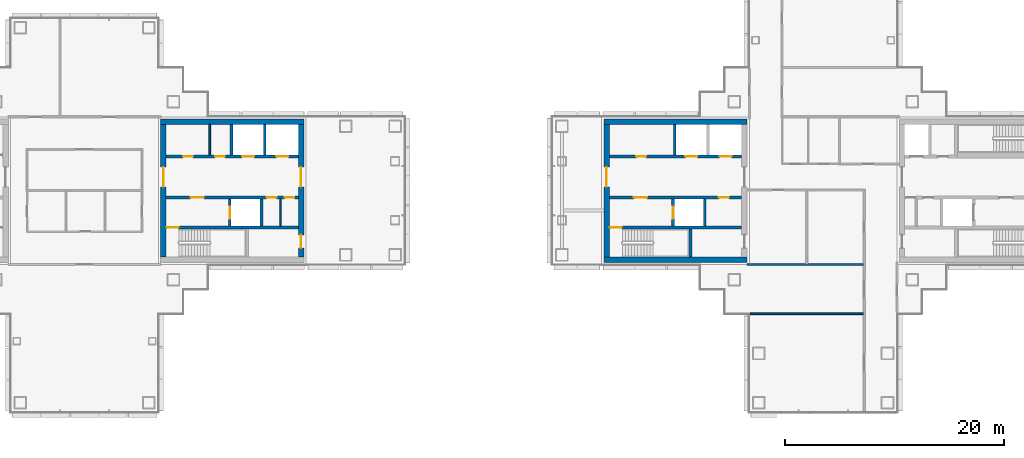
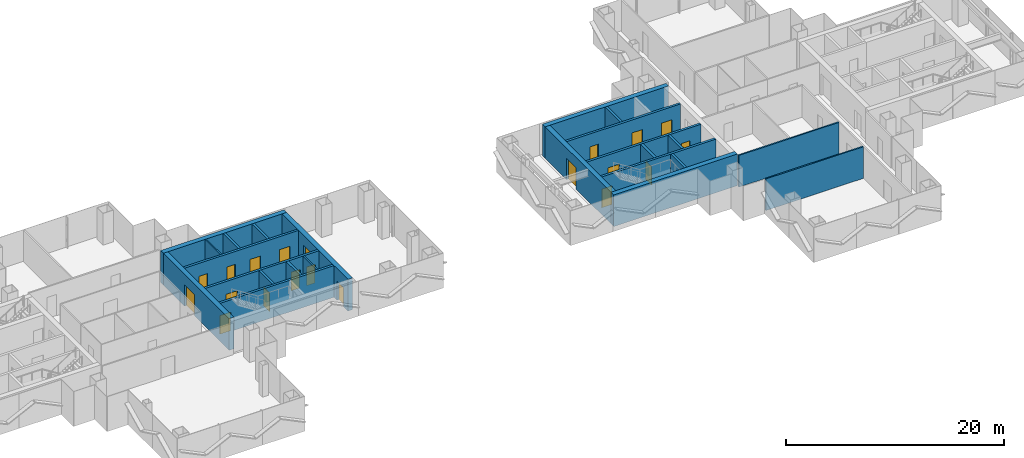
# One storey, part 10 of 16: 24 walls, 20 doors, 20 openings.
"""IFC4 building model written with IfcOpenShell, lengths in metres."""

from ifc_helpers import new_model, si_unit, direction, frame, frame_2d, origin, place, context, subcontext, project, spatial, rectangle, extrude, material, layer, layer_set, type_object, element, fill, save


model = new_model("IFC4")

# Units and contexts
model_context = context("Model", 3, precision=1e-05, world=origin(), true_north=direction((0.0, 1.0)))
body_context = subcontext(model_context, "Body", "Model", "MODEL_VIEW")
ifc_project = project(units=[si_unit("LENGTHUNIT", "METRE"), si_unit("AREAUNIT", "SQUARE_METRE"), si_unit("VOLUMEUNIT", "CUBIC_METRE"), si_unit("PLANEANGLEUNIT", "RADIAN"), si_unit("MASSUNIT", "GRAM", prefix="KILO")], contexts=[model_context])

# Site, building, storey
site_placement = place(None, origin())
site = spatial("IfcSite", under=ifc_project, at=site_placement, CompositionType="ELEMENT")
building_placement = place(site_placement, origin())
building = spatial("IfcBuilding", under=site, at=building_placement, Name="Shamsa Quay Exchange Towers", CompositionType="ELEMENT")
storey_placement = place(building_placement, frame((0.0, 0.0, 162.300048828125)))
storey = spatial("IfcBuildingStorey", under=building, at=storey_placement, Name="L38", CompositionType="ELEMENT", Elevation=162.300048828125)

# Wall
ifc_material_1 = material(Name="Concrete C60/75", Category="concrete")
ifc_layer_1 = layer(ifc_material_1, 0.5)
ifc_layer_set_1 = layer_set([ifc_layer_1], Name="CORE WALL 500 C60/75")
wall_type_1 = type_object("IfcWallType", Name="CORE WALL 500 C60/75", PredefinedType="SHEAR", material=ifc_layer_set_1)
wall_1_placement = place(storey_placement, frame((-26.800048828125, 6.300048828125, 0.0)))
element("IfcWall", 1, at=wall_1_placement, inside=storey, type_object=wall_type_1, Name="Core wall T1A-R18-PN", PredefinedType="SHEAR", context=body_context, shape_type="SweptSolid", body=[
    extrude(rectangle(XDim=13.10009765625, YDim=0.5, at=frame_2d((6.550048828125, 0.0))), origin(), (0.0, 0.0, 1.0), 3.550048828125),
])

# Wall, opening, door
wall_2_placement = place(storey_placement, frame((-26.550048828125, 6.050048828125, 0.0), z_axis=(0.0, 0.0, 1.0), x_axis=(0.0, -1.0, 0.0)))
wall_2 = element("IfcWall", 2, at=wall_2_placement, inside=storey, type_object=wall_type_1, Name="Core wall T1A-R18-PF", PredefinedType="SHEAR", context=body_context, shape_type="SweptSolid", body=[
    extrude(rectangle(XDim=12.10009765625, YDim=0.5, at=frame_2d((6.050048828125, 0.0))), origin(), (0.0, 0.0, 1.0), 3.550048828125),
])
opening_1_placement = place(wall_2_placement, frame((3.89990234375, 0.0, 0.0)))
opening_1 = element("IfcOpeningElement", 3, at=opening_1_placement, cuts=wall_2, Name="Opening T1A-R18-LBD01", PredefinedType="OPENING", context=body_context, shape_type="SweptSolid", body=[
    extrude(rectangle(XDim=1.800048828125, YDim=2.39990234375, at=frame_2d((0.89990234375, 1.199951171875))), frame((0.0, 0.260009765625, 0.0), z_axis=(0.0, -1.0, 0.0), x_axis=(1.0, 0.0, 0.0)), (0.0, 0.0, 1.0), 0.52001953125),
])
ifc_material_2 = material(Name="Steel, fire rated", Category="steel")
door_type_1 = type_object("IfcDoorType", Name="LIFT LOBBY DOOR PAIR 1800", OperationType="DOUBLE_DOOR_SINGLE_SWING", PredefinedType="DOOR", material=ifc_material_2)
door_1_placement = place(opening_1_placement, origin())
door_1 = element("IfcDoor", 4, at=door_1_placement, inside=storey, type_object=door_type_1, Name="T1A-R18-LBD01", OperationType="DOUBLE_DOOR_SINGLE_SWING", OverallHeight=2.39990234375, OverallWidth=1.800048828125, PredefinedType="DOOR", context=body_context, shape_type="SweptSolid", body=[
    extrude(rectangle(XDim=1.800048828125, YDim=2.39990234375, at=frame_2d((0.89990234375, 1.199951171875))), frame((0.0, 0.02490234375, 0.0), z_axis=(0.0, -1.0, 0.0), x_axis=(1.0, 0.0, 0.0)), (0.0, 0.0, 1.0), 0.050048828125),
])
fill(opening_1, door_1)

# Wall, openings, doors
wall_3_placement = place(storey_placement, frame((-13.949951171875, 6.050048828125, 0.0), z_axis=(0.0, 0.0, 1.0), x_axis=(0.0, -1.0, 0.0)))
wall_3 = element("IfcWall", 5, at=wall_3_placement, inside=storey, type_object=wall_type_1, Name="Core wall T1A-R18-PB", PredefinedType="SHEAR", context=body_context, shape_type="SweptSolid", body=[
    extrude(rectangle(XDim=12.10009765625, YDim=0.5, at=frame_2d((6.050048828125, 0.0))), origin(), (0.0, 0.0, 1.0), 3.550048828125),
])
opening_2_placement = place(wall_3_placement, frame((10.10009765625, 0.0, 0.0)))
opening_2 = element("IfcOpeningElement", 6, at=opening_2_placement, cuts=wall_3, Name="Opening T1A-R18-RD02", PredefinedType="OPENING", context=body_context, shape_type="SweptSolid", body=[
    extrude(rectangle(XDim=1.199951171875, YDim=2.10009765625, at=frame_2d((0.60009765625, 1.050048828125))), frame((0.0, 0.260009765625, 0.0), z_axis=(0.0, -1.0, 0.0), x_axis=(1.0, 0.0, 0.0)), (0.0, 0.0, 1.0), 0.52001953125),
])
opening_3_placement = place(wall_3_placement, frame((3.89990234375, 0.0, 0.0)))
opening_3 = element("IfcOpeningElement", 7, at=opening_3_placement, cuts=wall_3, Name="Opening T1A-R18-LBD03", PredefinedType="OPENING", context=body_context, shape_type="SweptSolid", body=[
    extrude(rectangle(XDim=1.800048828125, YDim=2.39990234375, at=frame_2d((0.89990234375, 1.199951171875))), frame((0.0, 0.260009765625, 0.0), z_axis=(0.0, -1.0, 0.0), x_axis=(1.0, 0.0, 0.0)), (0.0, 0.0, 1.0), 0.52001953125),
])
door_2_placement = place(opening_3_placement, origin())
door_2 = element("IfcDoor", 8, at=door_2_placement, inside=storey, type_object=door_type_1, Name="T1A-R18-LBD03", OperationType="DOUBLE_DOOR_SINGLE_SWING", OverallHeight=2.39990234375, OverallWidth=1.800048828125, PredefinedType="DOOR", context=body_context, shape_type="SweptSolid", body=[
    extrude(rectangle(XDim=1.800048828125, YDim=2.39990234375, at=frame_2d((0.89990234375, 1.199951171875))), frame((0.0, 0.02490234375, 0.0), z_axis=(0.0, -1.0, 0.0), x_axis=(1.0, 0.0, 0.0)), (0.0, 0.0, 1.0), 0.050048828125),
])
fill(opening_3, door_2)
door_type_2 = type_object("IfcDoorType", Name="RISER ACCESS DOOR 1200", OperationType="SINGLE_SWING_LEFT", PredefinedType="DOOR", material=ifc_material_2)
door_3_placement = place(opening_2_placement, origin())
door_3 = element("IfcDoor", 9, at=door_3_placement, inside=storey, type_object=door_type_2, Name="T1A-R18-RD02", OperationType="SINGLE_SWING_RIGHT", OverallHeight=2.10009765625, OverallWidth=1.199951171875, PredefinedType="DOOR", context=body_context, shape_type="SweptSolid", body=[
    extrude(rectangle(XDim=1.199951171875, YDim=2.10009765625, at=frame_2d((0.60009765625, 1.050048828125))), frame((0.0, 0.02490234375, 0.0), z_axis=(0.0, -1.0, 0.0), x_axis=(1.0, 0.0, 0.0)), (0.0, 0.0, 1.0), 0.050048828125),
])
fill(opening_2, door_3)

# Walls
for number, where, name in (
    (10, (13.699951171875, -6.300048828125, 0.0), "Core wall T2A-R18-PS"),
    (11, (13.699951171875, 6.300048828125, 0.0), "Core wall T2A-R18-PN"),
):
    element("IfcWall", number, at=place(storey_placement, frame(where)), inside=storey, type_object=wall_type_1, Name=name, PredefinedType="SHEAR", context=body_context, shape_type="SweptSolid", body=[
        extrude(rectangle(XDim=13.10009765625, YDim=0.5, at=frame_2d((6.550048828125, 0.0))), origin(), (0.0, 0.0, 1.0), 3.550048828125),
    ])

# Wall, opening, door
wall_4_placement = place(storey_placement, frame((13.949951171875, 6.050048828125, 0.0), z_axis=(0.0, 0.0, 1.0), x_axis=(0.0, -1.0, 0.0)))
wall_4 = element("IfcWall", 12, at=wall_4_placement, inside=storey, type_object=wall_type_1, Name="Core wall T2A-R18-PF", PredefinedType="SHEAR", context=body_context, shape_type="SweptSolid", body=[
    extrude(rectangle(XDim=12.10009765625, YDim=0.5, at=frame_2d((6.050048828125, 0.0))), origin(), (0.0, 0.0, 1.0), 3.550048828125),
])
opening_4_placement = place(wall_4_placement, frame((3.89990234375, 0.0, 0.0)))
opening_4 = element("IfcOpeningElement", 13, at=opening_4_placement, cuts=wall_4, Name="Opening T2A-R18-LBD01", PredefinedType="OPENING", context=body_context, shape_type="SweptSolid", body=[
    extrude(rectangle(XDim=1.800048828125, YDim=2.39990234375, at=frame_2d((0.89990234375, 1.199951171875))), frame((0.0, 0.260009765625, 0.0), z_axis=(0.0, -1.0, 0.0), x_axis=(1.0, 0.0, 0.0)), (0.0, 0.0, 1.0), 0.52001953125),
])
door_4_placement = place(opening_4_placement, origin())
door_4 = element("IfcDoor", 14, at=door_4_placement, inside=storey, type_object=door_type_1, Name="T2A-R18-LBD01", OperationType="DOUBLE_DOOR_SINGLE_SWING", OverallHeight=2.39990234375, OverallWidth=1.800048828125, PredefinedType="DOOR", context=body_context, shape_type="SweptSolid", body=[
    extrude(rectangle(XDim=1.800048828125, YDim=2.39990234375, at=frame_2d((0.89990234375, 1.199951171875))), frame((0.0, 0.02490234375, 0.0), z_axis=(0.0, -1.0, 0.0), x_axis=(1.0, 0.0, 0.0)), (0.0, 0.0, 1.0), 0.050048828125),
])
fill(opening_4, door_4)

# Walls
ifc_material_3 = material(Name="Gypsum board on steel studs, EI 60", Category="steel")
ifc_layer_2 = layer(ifc_material_3, 0.14990234375)
ifc_layer_set_2 = layer_set([ifc_layer_2], Name="FIRE PARTITION 150")
wall_type_2 = type_object("IfcWallType", Name="FIRE PARTITION 150", PredefinedType="PARTITIONING", material=ifc_layer_set_2)
wall_5_placement = place(storey_placement, frame((-15.85009765625, -3.25, 0.0), z_axis=(0.0, 0.0, 1.0), x_axis=(0.0, 1.0, 0.0)))
element("IfcWall", 15, at=wall_5_placement, inside=storey, type_object=wall_type_2, Name="Partition T1A-R18-EC0", PredefinedType="PARTITIONING", context=body_context, shape_type="SweptSolid", body=[
    extrude(rectangle(XDim=2.5, YDim=0.14990234375, at=frame_2d((1.25, 0.0))), origin(), (0.0, 0.0, 1.0), 3.550048828125),
])
wall_6_placement = place(storey_placement, frame((-22.300048828125, 3.25, 0.0), z_axis=(0.0, 0.0, 1.0), x_axis=(0.0, 1.0, 0.0)))
element("IfcWall", 16, at=wall_6_placement, inside=storey, type_object=wall_type_2, Name="Partition T1A-R18-FC0", PredefinedType="PARTITIONING", context=body_context, shape_type="SweptSolid", body=[
    extrude(rectangle(XDim=2.800048828125, YDim=0.14990234375, at=frame_2d((1.39990234375, 0.0))), origin(), (0.0, 0.0, 1.0), 3.550048828125),
])
ifc_material_4 = material(Name="Gypsum board partition on metal studs")
ifc_layer_3 = layer(ifc_material_4, 0.14990234375)
ifc_layer_set_3 = layer_set([ifc_layer_3], Name="Partition 150 mm EI 60")
wall_type_3 = type_object("IfcWallType", Name="Partition 150 mm EI 60", PredefinedType="PARTITIONING", material=ifc_layer_set_3)
wall_7_placement = place(storey_placement, frame((27.094970703125, -11.25, 0.0)))
element("IfcWall", 17, at=wall_7_placement, inside=storey, type_object=wall_type_3, Name="Partition T2-R18-W13", PredefinedType="PARTITIONING", context=body_context, shape_type="SweptSolid", body=[
    extrude(rectangle(XDim=10.330078125, YDim=0.14990234375, at=frame_2d((5.1650390625, 0.0))), origin(), (0.0, 0.0, 1.0), 3.550048828125),
])
wall_8_placement = place(storey_placement, frame((37.425048828125, -6.75, 0.0), z_axis=(0.0, 0.0, 1.0), x_axis=(-1.0, 0.0, 0.0)))
element("IfcWall", 18, at=wall_8_placement, inside=storey, type_object=wall_type_3, Name="Partition T2-R18-W14", PredefinedType="PARTITIONING", context=body_context, shape_type="SweptSolid", body=[
    extrude(rectangle(XDim=10.625, YDim=0.14990234375, at=frame_2d((5.3125, 0.0))), origin(), (0.0, 0.0, 1.0), 3.550048828125),
])

# Wall, opening, door
ifc_material_5 = material(Name="Concrete C50/60", Category="concrete")
ifc_layer_4 = layer(ifc_material_5, 0.25)
ifc_layer_set_4 = layer_set([ifc_layer_4], Name="SHAFT WALL 250 C50/60")
wall_type_4 = type_object("IfcWallType", Name="SHAFT WALL 250 C50/60", PredefinedType="SHEAR", material=ifc_layer_set_4)
wall_9_placement = place(storey_placement, frame((-14.199951171875, -3.375, 0.0), z_axis=(0.0, 0.0, 1.0), x_axis=(-1.0, 0.0, 0.0)))
wall_9 = element("IfcWall", 19, at=wall_9_placement, inside=storey, type_object=wall_type_4, Name="Shaft wall T1A-R18-STL", PredefinedType="SHEAR", context=body_context, shape_type="SweptSolid", body=[
    extrude(rectangle(XDim=12.10009765625, YDim=0.25, at=frame_2d((6.050048828125, 0.0))), origin(), (0.0, 0.0, 1.0), 3.550048828125),
])
opening_5_placement = place(wall_9_placement, frame((10.949951171875, 0.0, 0.0)))
opening_5 = element("IfcOpeningElement", 20, at=opening_5_placement, cuts=wall_9, Name="Opening T1A-R18-SD04", PredefinedType="OPENING", context=body_context, shape_type="SweptSolid", body=[
    extrude(rectangle(XDim=1.10009765625, YDim=2.10009765625, at=frame_2d((0.550048828125, 1.050048828125))), frame((0.0, 0.135009765625, 0.0), z_axis=(0.0, -1.0, 0.0), x_axis=(1.0, 0.0, 0.0)), (0.0, 0.0, 1.0), 0.27001953125),
])
door_type_3 = type_object("IfcDoorType", Name="STAIR DOOR 1100", OperationType="SINGLE_SWING_LEFT", PredefinedType="DOOR", material=ifc_material_2)
door_5_placement = place(opening_5_placement, origin())
door_5 = element("IfcDoor", 21, at=door_5_placement, inside=storey, type_object=door_type_3, Name="T1A-R18-SD04", OperationType="SINGLE_SWING_RIGHT", OverallHeight=2.10009765625, OverallWidth=1.10009765625, PredefinedType="DOOR", context=body_context, shape_type="SweptSolid", body=[
    extrude(rectangle(XDim=1.10009765625, YDim=2.10009765625, at=frame_2d((0.550048828125, 1.050048828125))), frame((0.0, 0.02490234375, 0.0), z_axis=(0.0, -1.0, 0.0), x_axis=(1.0, 0.0, 0.0)), (0.0, 0.0, 1.0), 0.050048828125),
])
fill(opening_5, door_5)

# Wall, openings, doors
wall_10_placement = place(storey_placement, frame((-14.199951171875, -0.625, 0.0), z_axis=(0.0, 0.0, 1.0), x_axis=(-1.0, 0.0, 0.0)))
wall_10 = element("IfcWall", 22, at=wall_10_placement, inside=storey, type_object=wall_type_4, Name="Shaft wall T1A-R18-B", PredefinedType="SHEAR", context=body_context, shape_type="SweptSolid", body=[
    extrude(rectangle(XDim=12.10009765625, YDim=0.25, at=frame_2d((6.050048828125, 0.0))), origin(), (0.0, 0.0, 1.0), 3.550048828125),
])
opening_6_placement = place(wall_10_placement, frame((8.64990234375, 0.0, 0.0)))
opening_6 = element("IfcOpeningElement", 23, at=opening_6_placement, cuts=wall_10, Name="Opening T1A-R18-FD05", PredefinedType="OPENING", context=body_context, shape_type="SweptSolid", body=[
    extrude(rectangle(XDim=1.199951171875, YDim=2.10009765625, at=frame_2d((0.60009765625, 1.050048828125))), frame((0.0, 0.135009765625, 0.0), z_axis=(0.0, -1.0, 0.0), x_axis=(1.0, 0.0, 0.0)), (0.0, 0.0, 1.0), 0.27001953125),
])
opening_7_placement = place(wall_10_placement, frame((2.0, 0.0, 0.0)))
opening_7 = element("IfcOpeningElement", 24, at=opening_7_placement, cuts=wall_10, Name="Opening T1A-R18-SV06", PredefinedType="OPENING", context=body_context, shape_type="SweptSolid", body=[
    extrude(rectangle(XDim=0.89990234375, YDim=2.10009765625, at=frame_2d((0.449951171875, 1.050048828125))), frame((0.0, 0.135009765625, 0.0), z_axis=(0.0, -1.0, 0.0), x_axis=(1.0, 0.0, 0.0)), (0.0, 0.0, 1.0), 0.27001953125),
])
opening_8_placement = place(wall_10_placement, frame((0.375, 0.0, 0.0)))
opening_8 = element("IfcOpeningElement", 25, at=opening_8_placement, cuts=wall_10, Name="Opening T1A-R18-SV07", PredefinedType="OPENING", context=body_context, shape_type="SweptSolid", body=[
    extrude(rectangle(XDim=0.89990234375, YDim=2.10009765625, at=frame_2d((0.449951171875, 1.050048828125))), frame((0.0, 0.135009765625, 0.0), z_axis=(0.0, -1.0, 0.0), x_axis=(1.0, 0.0, 0.0)), (0.0, 0.0, 1.0), 0.27001953125),
])
door_type_4 = type_object("IfcDoorType", Name="FIRE SERVICE LOBBY DOOR 1200", OperationType="SINGLE_SWING_LEFT", PredefinedType="DOOR", material=ifc_material_2)
door_6_placement = place(opening_6_placement, origin())
door_6 = element("IfcDoor", 26, at=door_6_placement, inside=storey, type_object=door_type_4, Name="T1A-R18-FD05", OperationType="SINGLE_SWING_RIGHT", OverallHeight=2.10009765625, OverallWidth=1.199951171875, PredefinedType="DOOR", context=body_context, shape_type="SweptSolid", body=[
    extrude(rectangle(XDim=1.199951171875, YDim=2.10009765625, at=frame_2d((0.60009765625, 1.050048828125))), frame((0.0, 0.02490234375, 0.0), z_axis=(0.0, -1.0, 0.0), x_axis=(1.0, 0.0, 0.0)), (0.0, 0.0, 1.0), 0.050048828125),
])
fill(opening_6, door_6)
door_type_5 = type_object("IfcDoorType", Name="SERVICE ROOM DOOR 900", OperationType="SINGLE_SWING_LEFT", PredefinedType="DOOR", material=ifc_material_2)
door_7_placement = place(opening_7_placement, origin())
door_7 = element("IfcDoor", 27, at=door_7_placement, inside=storey, type_object=door_type_5, Name="T1A-R18-SV06", OperationType="SINGLE_SWING_LEFT", OverallHeight=2.10009765625, OverallWidth=0.89990234375, PredefinedType="DOOR", context=body_context, shape_type="SweptSolid", body=[
    extrude(rectangle(XDim=0.89990234375, YDim=2.10009765625, at=frame_2d((0.449951171875, 1.050048828125))), frame((0.0, 0.02490234375, 0.0), z_axis=(0.0, -1.0, 0.0), x_axis=(1.0, 0.0, 0.0)), (0.0, 0.0, 1.0), 0.050048828125),
])
fill(opening_7, door_7)
door_8_placement = place(opening_8_placement, origin())
door_8 = element("IfcDoor", 28, at=door_8_placement, inside=storey, type_object=door_type_5, Name="T1A-R18-SV07", OperationType="SINGLE_SWING_LEFT", OverallHeight=2.10009765625, OverallWidth=0.89990234375, PredefinedType="DOOR", context=body_context, shape_type="SweptSolid", body=[
    extrude(rectangle(XDim=0.89990234375, YDim=2.10009765625, at=frame_2d((0.449951171875, 1.050048828125))), frame((0.0, 0.02490234375, 0.0), z_axis=(0.0, -1.0, 0.0), x_axis=(1.0, 0.0, 0.0)), (0.0, 0.0, 1.0), 0.050048828125),
])
fill(opening_8, door_8)

# Wall, opening, door
wall_11_placement = place(storey_placement, frame((-20.47509765625, -3.25, 0.0), z_axis=(0.0, 0.0, 1.0), x_axis=(0.0, 1.0, 0.0)))
wall_11 = element("IfcWall", 29, at=wall_11_placement, inside=storey, type_object=wall_type_4, Name="Shaft wall T1A-R18-FFF", PredefinedType="SHEAR", context=body_context, shape_type="SweptSolid", body=[
    extrude(rectangle(XDim=2.5, YDim=0.25, at=frame_2d((1.25, 0.0))), origin(), (0.0, 0.0, 1.0), 3.550048828125),
])
opening_9_placement = place(wall_11_placement, frame((0.699951171875, 0.0, 0.0)))
opening_9 = element("IfcOpeningElement", 30, at=opening_9_placement, cuts=wall_11, Name="Opening T1A-R18-LDF08", PredefinedType="OPENING", context=body_context, shape_type="SweptSolid", body=[
    extrude(rectangle(XDim=1.10009765625, YDim=2.10009765625, at=frame_2d((0.550048828125, 1.050048828125))), frame((0.0, 0.135009765625, 0.0), z_axis=(0.0, -1.0, 0.0), x_axis=(1.0, 0.0, 0.0)), (0.0, 0.0, 1.0), 0.27001953125),
])
door_type_6 = type_object("IfcDoorType", Name="FIRE SERVICE LANDING DOOR 1100", OperationType="SLIDING_TO_LEFT", PredefinedType="DOOR", material=ifc_material_2)
door_9_placement = place(opening_9_placement, origin())
door_9 = element("IfcDoor", 31, at=door_9_placement, inside=storey, type_object=door_type_6, Name="T1A-R18-LDF08", OperationType="SLIDING_TO_LEFT", OverallHeight=2.10009765625, OverallWidth=1.10009765625, PredefinedType="DOOR", context=body_context, shape_type="SweptSolid", body=[
    extrude(rectangle(XDim=1.10009765625, YDim=2.10009765625, at=frame_2d((0.550048828125, 1.050048828125))), frame((0.0, 0.02490234375, 0.0), z_axis=(0.0, -1.0, 0.0), x_axis=(1.0, 0.0, 0.0)), (0.0, 0.0, 1.0), 0.050048828125),
])
fill(opening_9, door_9)

# Wall
wall_12_placement = place(storey_placement, frame((-17.574951171875, -3.25, 0.0), z_axis=(0.0, 0.0, 1.0), x_axis=(0.0, 1.0, 0.0)))
element("IfcWall", 32, at=wall_12_placement, inside=storey, type_object=wall_type_4, Name="Shaft wall T1A-R18-FFB", PredefinedType="SHEAR", context=body_context, shape_type="SweptSolid", body=[
    extrude(rectangle(XDim=2.5, YDim=0.25, at=frame_2d((1.25, 0.0))), origin(), (0.0, 0.0, 1.0), 3.550048828125),
])

# Wall, openings, doors
wall_13_placement = place(storey_placement, frame((-26.300048828125, 3.125, 0.0)))
wall_13 = element("IfcWall", 33, at=wall_13_placement, inside=storey, type_object=wall_type_4, Name="Shaft wall T1A-R18-N", PredefinedType="SHEAR", context=body_context, shape_type="SweptSolid", body=[
    extrude(rectangle(XDim=12.10009765625, YDim=0.25, at=frame_2d((6.050048828125, 0.0))), origin(), (0.0, 0.0, 1.0), 3.550048828125),
])
opening_10_placement = place(wall_13_placement, frame((6.949951171875, 0.0, 0.0)))
opening_10 = element("IfcOpeningElement", 34, at=opening_10_placement, cuts=wall_13, Name="Opening T1A-R18-LD09", PredefinedType="OPENING", context=body_context, shape_type="SweptSolid", body=[
    extrude(rectangle(XDim=1.10009765625, YDim=2.10009765625, at=frame_2d((0.550048828125, 1.050048828125))), frame((0.0, 0.135009765625, 0.0), z_axis=(0.0, -1.0, 0.0), x_axis=(1.0, 0.0, 0.0)), (0.0, 0.0, 1.0), 0.27001953125),
])
opening_11_placement = place(wall_13_placement, frame((10.074951171875, 0.0, 0.0)))
opening_11 = element("IfcOpeningElement", 35, at=opening_11_placement, cuts=wall_13, Name="Opening T1A-R18-LD10", PredefinedType="OPENING", context=body_context, shape_type="SweptSolid", body=[
    extrude(rectangle(XDim=1.10009765625, YDim=2.10009765625, at=frame_2d((0.550048828125, 1.050048828125))), frame((0.0, 0.135009765625, 0.0), z_axis=(0.0, -1.0, 0.0), x_axis=(1.0, 0.0, 0.0)), (0.0, 0.0, 1.0), 0.27001953125),
])
opening_12_placement = place(wall_13_placement, frame((1.550048828125, 0.0, 0.0)))
opening_12 = element("IfcOpeningElement", 36, at=opening_12_placement, cuts=wall_13, Name="Opening T1A-R18-SV11", PredefinedType="OPENING", context=body_context, shape_type="SweptSolid", body=[
    extrude(rectangle(XDim=0.89990234375, YDim=2.10009765625, at=frame_2d((0.449951171875, 1.050048828125))), frame((0.0, 0.135009765625, 0.0), z_axis=(0.0, -1.0, 0.0), x_axis=(1.0, 0.0, 0.0)), (0.0, 0.0, 1.0), 0.27001953125),
])
opening_13_placement = place(wall_13_placement, frame((4.47509765625, 0.0, 0.0)))
opening_13 = element("IfcOpeningElement", 37, at=opening_13_placement, cuts=wall_13, Name="Opening T1A-R18-SV12", PredefinedType="OPENING", context=body_context, shape_type="SweptSolid", body=[
    extrude(rectangle(XDim=0.89990234375, YDim=2.10009765625, at=frame_2d((0.449951171875, 1.050048828125))), frame((0.0, 0.135009765625, 0.0), z_axis=(0.0, -1.0, 0.0), x_axis=(1.0, 0.0, 0.0)), (0.0, 0.0, 1.0), 0.27001953125),
])
door_type_7 = type_object("IfcDoorType", Name="LANDING DOOR 1100", OperationType="SLIDING_TO_LEFT", PredefinedType="DOOR", material=ifc_material_2)
door_10_placement = place(opening_10_placement, origin())
door_10 = element("IfcDoor", 38, at=door_10_placement, inside=storey, type_object=door_type_7, Name="T1A-R18-LD09", OperationType="SLIDING_TO_LEFT", OverallHeight=2.10009765625, OverallWidth=1.10009765625, PredefinedType="DOOR", context=body_context, shape_type="SweptSolid", body=[
    extrude(rectangle(XDim=1.10009765625, YDim=2.10009765625, at=frame_2d((0.550048828125, 1.050048828125))), frame((0.0, 0.02490234375, 0.0), z_axis=(0.0, -1.0, 0.0), x_axis=(1.0, 0.0, 0.0)), (0.0, 0.0, 1.0), 0.050048828125),
])
fill(opening_10, door_10)
door_11_placement = place(opening_11_placement, origin())
door_11 = element("IfcDoor", 39, at=door_11_placement, inside=storey, type_object=door_type_7, Name="T1A-R18-LD10", OperationType="SLIDING_TO_LEFT", OverallHeight=2.10009765625, OverallWidth=1.10009765625, PredefinedType="DOOR", context=body_context, shape_type="SweptSolid", body=[
    extrude(rectangle(XDim=1.10009765625, YDim=2.10009765625, at=frame_2d((0.550048828125, 1.050048828125))), frame((0.0, 0.02490234375, 0.0), z_axis=(0.0, -1.0, 0.0), x_axis=(1.0, 0.0, 0.0)), (0.0, 0.0, 1.0), 0.050048828125),
])
fill(opening_11, door_11)
door_12_placement = place(opening_12_placement, origin())
door_12 = element("IfcDoor", 40, at=door_12_placement, inside=storey, type_object=door_type_5, Name="T1A-R18-SV11", OperationType="SINGLE_SWING_LEFT", OverallHeight=2.10009765625, OverallWidth=0.89990234375, PredefinedType="DOOR", context=body_context, shape_type="SweptSolid", body=[
    extrude(rectangle(XDim=0.89990234375, YDim=2.10009765625, at=frame_2d((0.449951171875, 1.050048828125))), frame((0.0, 0.02490234375, 0.0), z_axis=(0.0, -1.0, 0.0), x_axis=(1.0, 0.0, 0.0)), (0.0, 0.0, 1.0), 0.050048828125),
])
fill(opening_12, door_12)
door_13_placement = place(opening_13_placement, origin())
door_13 = element("IfcDoor", 41, at=door_13_placement, inside=storey, type_object=door_type_5, Name="T1A-R18-SV12", OperationType="SINGLE_SWING_LEFT", OverallHeight=2.10009765625, OverallWidth=0.89990234375, PredefinedType="DOOR", context=body_context, shape_type="SweptSolid", body=[
    extrude(rectangle(XDim=0.89990234375, YDim=2.10009765625, at=frame_2d((0.449951171875, 1.050048828125))), frame((0.0, 0.02490234375, 0.0), z_axis=(0.0, -1.0, 0.0), x_axis=(1.0, 0.0, 0.0)), (0.0, 0.0, 1.0), 0.050048828125),
])
fill(opening_13, door_13)

# Walls
for number, where, z_axis, x_axis, name in (
    (42, (-20.324951171875, 3.25, 0.0), (0.0, 0.0, 1.0), (0.0, 1.0, 0.0), "Shaft wall T1A-R18-D1"),
    (43, (-17.27490234375, 3.25, 0.0), (0.0, 0.0, 1.0), (0.0, 1.0, 0.0), "Shaft wall T1A-R18-D2"),
):
    element("IfcWall", number, at=place(storey_placement, frame(where, z_axis=z_axis, x_axis=x_axis)), inside=storey, type_object=wall_type_4, Name=name, PredefinedType="SHEAR", context=body_context, shape_type="SweptSolid", body=[
        extrude(rectangle(XDim=2.800048828125, YDim=0.25, at=frame_2d((1.39990234375, 0.0))), origin(), (0.0, 0.0, 1.0), 3.550048828125),
    ])

# Wall, opening, door
wall_14_placement = place(storey_placement, frame((26.300048828125, -3.375, 0.0), z_axis=(0.0, 0.0, 1.0), x_axis=(-1.0, 0.0, 0.0)))
wall_14 = element("IfcWall", 44, at=wall_14_placement, inside=storey, type_object=wall_type_4, Name="Shaft wall T2A-R18-STL", PredefinedType="SHEAR", context=body_context, shape_type="SweptSolid", body=[
    extrude(rectangle(XDim=12.10009765625, YDim=0.25, at=frame_2d((6.050048828125, 0.0))), origin(), (0.0, 0.0, 1.0), 3.550048828125),
])
opening_14_placement = place(wall_14_placement, frame((10.949951171875, 0.0, 0.0)))
opening_14 = element("IfcOpeningElement", 45, at=opening_14_placement, cuts=wall_14, Name="Opening T2A-R18-SD04", PredefinedType="OPENING", context=body_context, shape_type="SweptSolid", body=[
    extrude(rectangle(XDim=1.10009765625, YDim=2.10009765625, at=frame_2d((0.550048828125, 1.050048828125))), frame((0.0, 0.135009765625, 0.0), z_axis=(0.0, -1.0, 0.0), x_axis=(1.0, 0.0, 0.0)), (0.0, 0.0, 1.0), 0.27001953125),
])
door_14_placement = place(opening_14_placement, origin())
door_14 = element("IfcDoor", 46, at=door_14_placement, inside=storey, type_object=door_type_3, Name="T2A-R18-SD04", OperationType="SINGLE_SWING_RIGHT", OverallHeight=2.10009765625, OverallWidth=1.10009765625, PredefinedType="DOOR", context=body_context, shape_type="SweptSolid", body=[
    extrude(rectangle(XDim=1.10009765625, YDim=2.10009765625, at=frame_2d((0.550048828125, 1.050048828125))), frame((0.0, 0.02490234375, 0.0), z_axis=(0.0, -1.0, 0.0), x_axis=(1.0, 0.0, 0.0)), (0.0, 0.0, 1.0), 0.050048828125),
])
fill(opening_14, door_14)

# Wall
wall_15_placement = place(storey_placement, frame((21.625, -6.050048828125, 0.0), z_axis=(0.0, 0.0, 1.0), x_axis=(0.0, 1.0, 0.0)))
element("IfcWall", 47, at=wall_15_placement, inside=storey, type_object=wall_type_4, Name="Shaft wall T2A-R18-STF", PredefinedType="SHEAR", context=body_context, shape_type="SweptSolid", body=[
    extrude(rectangle(XDim=2.550048828125, YDim=0.25, at=frame_2d((1.27490234375, 0.0))), origin(), (0.0, 0.0, 1.0), 3.550048828125),
])

# Wall, openings, doors
wall_16_placement = place(storey_placement, frame((26.300048828125, -0.625, 0.0), z_axis=(0.0, 0.0, 1.0), x_axis=(-1.0, 0.0, 0.0)))
wall_16 = element("IfcWall", 48, at=wall_16_placement, inside=storey, type_object=wall_type_4, Name="Shaft wall T2A-R18-B", PredefinedType="SHEAR", context=body_context, shape_type="SweptSolid", body=[
    extrude(rectangle(XDim=12.10009765625, YDim=0.25, at=frame_2d((6.050048828125, 0.0))), origin(), (0.0, 0.0, 1.0), 3.550048828125),
])
opening_15_placement = place(wall_16_placement, frame((8.64990234375, 0.0, 0.0)))
opening_15 = element("IfcOpeningElement", 49, at=opening_15_placement, cuts=wall_16, Name="Opening T2A-R18-FD05", PredefinedType="OPENING", context=body_context, shape_type="SweptSolid", body=[
    extrude(rectangle(XDim=1.199951171875, YDim=2.10009765625, at=frame_2d((0.60009765625, 1.050048828125))), frame((0.0, 0.135009765625, 0.0), z_axis=(0.0, -1.0, 0.0), x_axis=(1.0, 0.0, 0.0)), (0.0, 0.0, 1.0), 0.27001953125),
])
opening_16_placement = place(wall_16_placement, frame((1.175048828125, 0.0, 0.0)))
opening_16 = element("IfcOpeningElement", 50, at=opening_16_placement, cuts=wall_16, Name="Opening T2A-R18-SV06", PredefinedType="OPENING", context=body_context, shape_type="SweptSolid", body=[
    extrude(rectangle(XDim=0.89990234375, YDim=2.10009765625, at=frame_2d((0.449951171875, 1.050048828125))), frame((0.0, 0.135009765625, 0.0), z_axis=(0.0, -1.0, 0.0), x_axis=(1.0, 0.0, 0.0)), (0.0, 0.0, 1.0), 0.27001953125),
])
door_15_placement = place(opening_15_placement, origin())
door_15 = element("IfcDoor", 51, at=door_15_placement, inside=storey, type_object=door_type_4, Name="T2A-R18-FD05", OperationType="SINGLE_SWING_RIGHT", OverallHeight=2.10009765625, OverallWidth=1.199951171875, PredefinedType="DOOR", context=body_context, shape_type="SweptSolid", body=[
    extrude(rectangle(XDim=1.199951171875, YDim=2.10009765625, at=frame_2d((0.60009765625, 1.050048828125))), frame((0.0, 0.02490234375, 0.0), z_axis=(0.0, -1.0, 0.0), x_axis=(1.0, 0.0, 0.0)), (0.0, 0.0, 1.0), 0.050048828125),
])
fill(opening_15, door_15)
door_16_placement = place(opening_16_placement, origin())
door_16 = element("IfcDoor", 52, at=door_16_placement, inside=storey, type_object=door_type_5, Name="T2A-R18-SV06", OperationType="SINGLE_SWING_LEFT", OverallHeight=2.10009765625, OverallWidth=0.89990234375, PredefinedType="DOOR", context=body_context, shape_type="SweptSolid", body=[
    extrude(rectangle(XDim=0.89990234375, YDim=2.10009765625, at=frame_2d((0.449951171875, 1.050048828125))), frame((0.0, 0.02490234375, 0.0), z_axis=(0.0, -1.0, 0.0), x_axis=(1.0, 0.0, 0.0)), (0.0, 0.0, 1.0), 0.050048828125),
])
fill(opening_16, door_16)

# Wall, opening, door
wall_17_placement = place(storey_placement, frame((20.02490234375, -3.25, 0.0), z_axis=(0.0, 0.0, 1.0), x_axis=(0.0, 1.0, 0.0)))
wall_17 = element("IfcWall", 53, at=wall_17_placement, inside=storey, type_object=wall_type_4, Name="Shaft wall T2A-R18-FFF", PredefinedType="SHEAR", context=body_context, shape_type="SweptSolid", body=[
    extrude(rectangle(XDim=2.5, YDim=0.25, at=frame_2d((1.25, 0.0))), origin(), (0.0, 0.0, 1.0), 3.550048828125),
])
opening_17_placement = place(wall_17_placement, frame((0.699951171875, 0.0, 0.0)))
opening_17 = element("IfcOpeningElement", 54, at=opening_17_placement, cuts=wall_17, Name="Opening T2A-R18-LDF07", PredefinedType="OPENING", context=body_context, shape_type="SweptSolid", body=[
    extrude(rectangle(XDim=1.10009765625, YDim=2.10009765625, at=frame_2d((0.550048828125, 1.050048828125))), frame((0.0, 0.135009765625, 0.0), z_axis=(0.0, -1.0, 0.0), x_axis=(1.0, 0.0, 0.0)), (0.0, 0.0, 1.0), 0.27001953125),
])
door_17_placement = place(opening_17_placement, origin())
door_17 = element("IfcDoor", 55, at=door_17_placement, inside=storey, type_object=door_type_6, Name="T2A-R18-LDF07", OperationType="SLIDING_TO_LEFT", OverallHeight=2.10009765625, OverallWidth=1.10009765625, PredefinedType="DOOR", context=body_context, shape_type="SweptSolid", body=[
    extrude(rectangle(XDim=1.10009765625, YDim=2.10009765625, at=frame_2d((0.550048828125, 1.050048828125))), frame((0.0, 0.02490234375, 0.0), z_axis=(0.0, -1.0, 0.0), x_axis=(1.0, 0.0, 0.0)), (0.0, 0.0, 1.0), 0.050048828125),
])
fill(opening_17, door_17)

# Wall
wall_18_placement = place(storey_placement, frame((22.925048828125, -3.25, 0.0), z_axis=(0.0, 0.0, 1.0), x_axis=(0.0, 1.0, 0.0)))
element("IfcWall", 56, at=wall_18_placement, inside=storey, type_object=wall_type_4, Name="Shaft wall T2A-R18-FFB", PredefinedType="SHEAR", context=body_context, shape_type="SweptSolid", body=[
    extrude(rectangle(XDim=2.5, YDim=0.25, at=frame_2d((1.25, 0.0))), origin(), (0.0, 0.0, 1.0), 3.550048828125),
])

# Wall, openings, doors
wall_19_placement = place(storey_placement, frame((14.199951171875, 3.125, 0.0)))
wall_19 = element("IfcWall", 57, at=wall_19_placement, inside=storey, type_object=wall_type_4, Name="Shaft wall T2A-R18-N", PredefinedType="SHEAR", context=body_context, shape_type="SweptSolid", body=[
    extrude(rectangle(XDim=12.10009765625, YDim=0.25, at=frame_2d((6.050048828125, 0.0))), origin(), (0.0, 0.0, 1.0), 3.550048828125),
])
opening_18_placement = place(wall_19_placement, frame((6.949951171875, 0.0, 0.0)))
opening_18 = element("IfcOpeningElement", 58, at=opening_18_placement, cuts=wall_19, Name="Opening T2A-R18-LD08", PredefinedType="OPENING", context=body_context, shape_type="SweptSolid", body=[
    extrude(rectangle(XDim=1.10009765625, YDim=2.10009765625, at=frame_2d((0.550048828125, 1.050048828125))), frame((0.0, 0.135009765625, 0.0), z_axis=(0.0, -1.0, 0.0), x_axis=(1.0, 0.0, 0.0)), (0.0, 0.0, 1.0), 0.27001953125),
])
opening_19_placement = place(wall_19_placement, frame((10.074951171875, 0.0, 0.0)))
opening_19 = element("IfcOpeningElement", 59, at=opening_19_placement, cuts=wall_19, Name="Opening T2A-R18-LD09", PredefinedType="OPENING", context=body_context, shape_type="SweptSolid", body=[
    extrude(rectangle(XDim=1.10009765625, YDim=2.10009765625, at=frame_2d((0.550048828125, 1.050048828125))), frame((0.0, 0.135009765625, 0.0), z_axis=(0.0, -1.0, 0.0), x_axis=(1.0, 0.0, 0.0)), (0.0, 0.0, 1.0), 0.27001953125),
])
opening_20_placement = place(wall_19_placement, frame((2.47509765625, 0.0, 0.0)))
opening_20 = element("IfcOpeningElement", 60, at=opening_20_placement, cuts=wall_19, Name="Opening T2A-R18-SV10", PredefinedType="OPENING", context=body_context, shape_type="SweptSolid", body=[
    extrude(rectangle(XDim=0.89990234375, YDim=2.10009765625, at=frame_2d((0.449951171875, 1.050048828125))), frame((0.0, 0.135009765625, 0.0), z_axis=(0.0, -1.0, 0.0), x_axis=(1.0, 0.0, 0.0)), (0.0, 0.0, 1.0), 0.27001953125),
])
door_18_placement = place(opening_18_placement, origin())
door_18 = element("IfcDoor", 61, at=door_18_placement, inside=storey, type_object=door_type_7, Name="T2A-R18-LD08", OperationType="SLIDING_TO_LEFT", OverallHeight=2.10009765625, OverallWidth=1.10009765625, PredefinedType="DOOR", context=body_context, shape_type="SweptSolid", body=[
    extrude(rectangle(XDim=1.10009765625, YDim=2.10009765625, at=frame_2d((0.550048828125, 1.050048828125))), frame((0.0, 0.02490234375, 0.0), z_axis=(0.0, -1.0, 0.0), x_axis=(1.0, 0.0, 0.0)), (0.0, 0.0, 1.0), 0.050048828125),
])
fill(opening_18, door_18)
door_19_placement = place(opening_19_placement, origin())
door_19 = element("IfcDoor", 62, at=door_19_placement, inside=storey, type_object=door_type_7, Name="T2A-R18-LD09", OperationType="SLIDING_TO_LEFT", OverallHeight=2.10009765625, OverallWidth=1.10009765625, PredefinedType="DOOR", context=body_context, shape_type="SweptSolid", body=[
    extrude(rectangle(XDim=1.10009765625, YDim=2.10009765625, at=frame_2d((0.550048828125, 1.050048828125))), frame((0.0, 0.02490234375, 0.0), z_axis=(0.0, -1.0, 0.0), x_axis=(1.0, 0.0, 0.0)), (0.0, 0.0, 1.0), 0.050048828125),
])
fill(opening_19, door_19)
door_20_placement = place(opening_20_placement, origin())
door_20 = element("IfcDoor", 63, at=door_20_placement, inside=storey, type_object=door_type_5, Name="T2A-R18-SV10", OperationType="SINGLE_SWING_LEFT", OverallHeight=2.10009765625, OverallWidth=0.89990234375, PredefinedType="DOOR", context=body_context, shape_type="SweptSolid", body=[
    extrude(rectangle(XDim=0.89990234375, YDim=2.10009765625, at=frame_2d((0.449951171875, 1.050048828125))), frame((0.0, 0.02490234375, 0.0), z_axis=(0.0, -1.0, 0.0), x_axis=(1.0, 0.0, 0.0)), (0.0, 0.0, 1.0), 0.050048828125),
])
fill(opening_20, door_20)

# Wall
wall_20_placement = place(storey_placement, frame((20.175048828125, 3.25, 0.0), z_axis=(0.0, 0.0, 1.0), x_axis=(0.0, 1.0, 0.0)))
element("IfcWall", 64, at=wall_20_placement, inside=storey, type_object=wall_type_4, Name="Shaft wall T2A-R18-D1", PredefinedType="SHEAR", context=body_context, shape_type="SweptSolid", body=[
    extrude(rectangle(XDim=2.800048828125, YDim=0.25, at=frame_2d((1.39990234375, 0.0))), origin(), (0.0, 0.0, 1.0), 3.550048828125),
])

save(model, "model.ifc")
